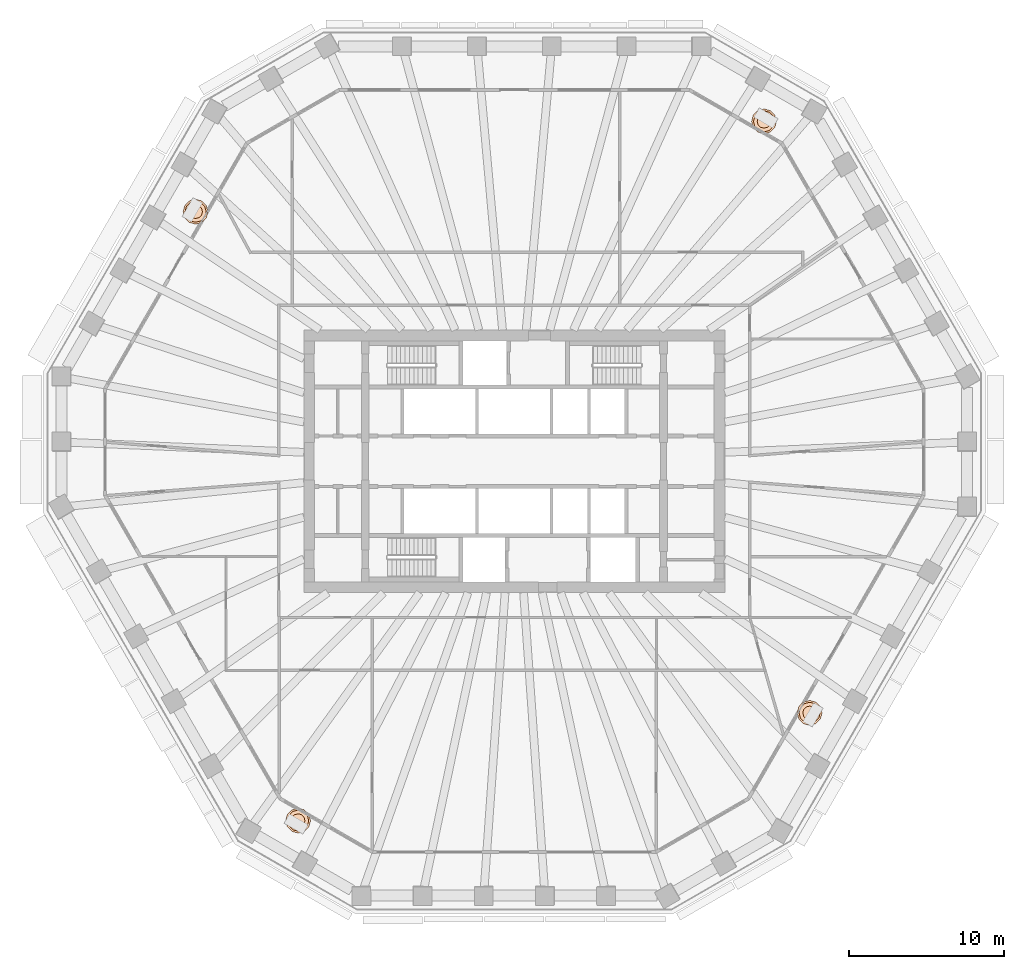
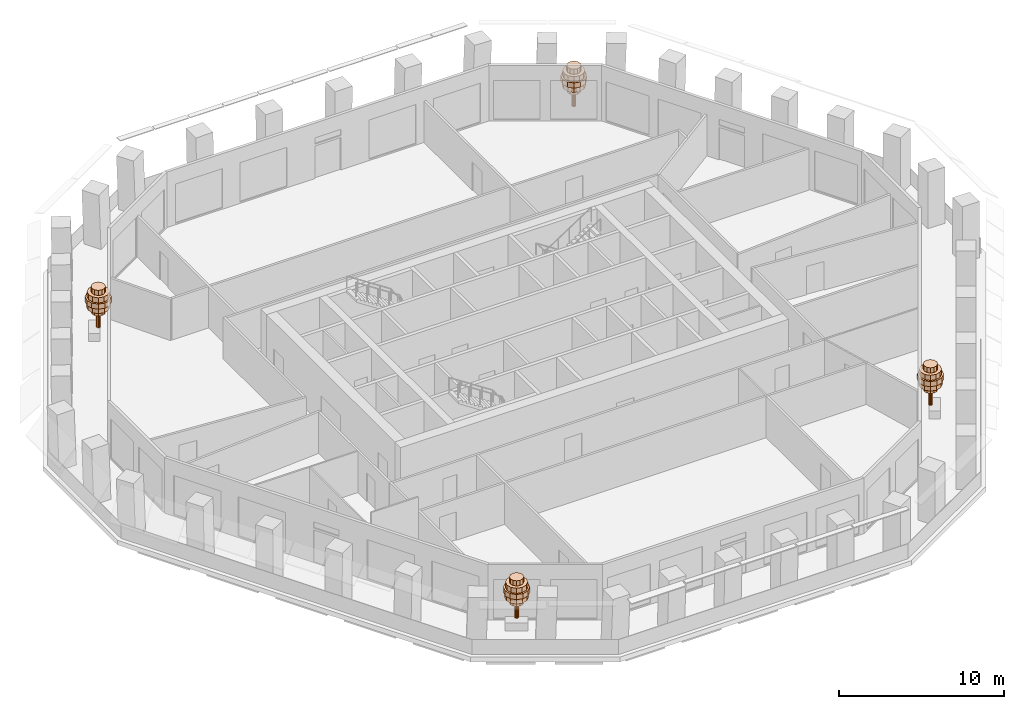
# One storey, part 13 of 13: 4 geographic elements.
"""IFC4 building model written with IfcOpenShell, lengths in metres."""

from ifc_helpers import new_model, si_unit, direction, frame, origin, place, context, subcontext, project, spatial, polyline, outline, extrude, material, type_object, element, save


model = new_model("IFC4")

# Units and contexts
model_context = context("Model", 3, precision=1e-05, world=origin(), true_north=direction((0.0, 1.0)))
body_context = subcontext(model_context, "Body", "Model", "MODEL_VIEW")
ifc_project = project(units=[si_unit("LENGTHUNIT", "METRE"), si_unit("AREAUNIT", "SQUARE_METRE"), si_unit("VOLUMEUNIT", "CUBIC_METRE"), si_unit("PLANEANGLEUNIT", "RADIAN"), si_unit("MASSUNIT", "GRAM", prefix="KILO")], contexts=[model_context])

# Site, building, storey
site_placement = place(None, origin())
site = spatial("IfcSite", under=ifc_project, at=site_placement, CompositionType="ELEMENT")
building_placement = place(site_placement, origin())
building = spatial("IfcBuilding", under=site, at=building_placement, Name="Frailejon Research Tower", CompositionType="ELEMENT")
storey_placement = place(building_placement, frame((0.0, 0.0, 184.800048828125)))
storey = spatial("IfcBuildingStorey", under=building, at=storey_placement, Name="L40", CompositionType="ELEMENT", Elevation=184.800048828125)

# Geographic elements
ifc_material = material(Name="Foliage, green")
geographic_element_type = type_object("IfcGeographicElementType", Name="Frailejon tree, loggia", PredefinedType="USERDEFINED", material=ifc_material)
geographic_element_1_placement = place(storey_placement, frame((16.068359375, 21.878173828125, 0.599853515625)))
element("IfcGeographicElement", 1, at=geographic_element_1_placement, inside=storey, type_object=geographic_element_type, Name="Tree L40", ObjectType="TREE", PredefinedType="USERDEFINED", context=body_context, shape_type="SweptSolid", body=[
    extrude(outline(polyline([(0.1298828125, 0.0), (0.112548828125, 0.06494140625), (0.06494140625, 0.112548828125), (0.0, 0.1298828125), (-0.06494140625, 0.112548828125), (-0.112548828125, 0.06494140625), (-0.1298828125, 0.0), (-0.112548828125, -0.06494140625), (-0.06494140625, -0.112548828125), (0.0, -0.1298828125), (0.06494140625, -0.112548828125), (0.112548828125, -0.06494140625), (0.1298828125, 0.0)])), origin(), (0.0, 0.0, 1.0), 2.239990234375),
    extrude(outline(polyline([(0.43994140625, 0.0), (0.381103515625, 0.219970703125), (0.219970703125, 0.381103515625), (0.0, 0.43994140625), (-0.219970703125, 0.381103515625), (-0.381103515625, 0.219970703125), (-0.43994140625, 0.0), (-0.381103515625, -0.219970703125), (-0.219970703125, -0.381103515625), (0.0, -0.43994140625), (0.219970703125, -0.381103515625), (0.381103515625, -0.219970703125), (0.43994140625, 0.0)])), frame((0.0, 0.0, 1.10009765625)), (0.0, 0.0, 1.0), 0.3798828125),
    extrude(outline(polyline([(0.719970703125, 0.0), (0.62353515625, 0.360107421875), (0.360107421875, 0.62353515625), (0.0, 0.719970703125), (-0.360107421875, 0.62353515625), (-0.62353515625, 0.360107421875), (-0.719970703125, 0.0), (-0.62353515625, -0.360107421875), (-0.360107421875, -0.62353515625), (0.0, -0.719970703125), (0.360107421875, -0.62353515625), (0.62353515625, -0.360107421875), (0.719970703125, 0.0)])), frame((0.0, 0.0, 1.47998046875)), (0.0, 0.0, 1.0), 0.3798828125),
    extrude(outline(polyline([(0.800048828125, 0.0), (0.69287109375, 0.39990234375), (0.39990234375, 0.69287109375), (0.0, 0.800048828125), (-0.39990234375, 0.69287109375), (-0.69287109375, 0.39990234375), (-0.800048828125, 0.0), (-0.69287109375, -0.39990234375), (-0.39990234375, -0.69287109375), (0.0, -0.800048828125), (0.39990234375, -0.69287109375), (0.69287109375, -0.39990234375), (0.800048828125, 0.0)])), frame((0.0, 0.0, 1.860107421875)), (0.0, 0.0, 1.0), 0.3798828125),
    extrude(outline(polyline([(0.679931640625, 0.0), (0.5888671875, 0.340087890625), (0.340087890625, 0.5888671875), (0.0, 0.679931640625), (-0.340087890625, 0.5888671875), (-0.5888671875, 0.340087890625), (-0.679931640625, 0.0), (-0.5888671875, -0.340087890625), (-0.340087890625, -0.5888671875), (0.0, -0.679931640625), (0.340087890625, -0.5888671875), (0.5888671875, -0.340087890625), (0.679931640625, 0.0)])), frame((0.0, 0.0, 2.239990234375)), (0.0, 0.0, 1.0), 0.3798828125),
    extrude(outline(polyline([(0.43994140625, 0.0), (0.381103515625, 0.219970703125), (0.219970703125, 0.381103515625), (0.0, 0.43994140625), (-0.219970703125, 0.381103515625), (-0.381103515625, 0.219970703125), (-0.43994140625, 0.0), (-0.381103515625, -0.219970703125), (-0.219970703125, -0.381103515625), (0.0, -0.43994140625), (0.219970703125, -0.381103515625), (0.381103515625, -0.219970703125), (0.43994140625, 0.0)])), frame((0.0, 0.0, 2.6201171875)), (0.0, 0.0, 1.0), 0.3798828125),
])
geographic_element_2_placement = place(storey_placement, frame((-20.510986328125, 16.062744140625, 0.599853515625)))
element("IfcGeographicElement", 2, at=geographic_element_2_placement, inside=storey, type_object=geographic_element_type, Name="Tree L40", ObjectType="TREE", PredefinedType="USERDEFINED", context=body_context, shape_type="SweptSolid", body=[
    extrude(outline(polyline([(0.1298828125, 0.0), (0.112548828125, 0.06494140625), (0.06494140625, 0.112548828125), (0.0, 0.1298828125), (-0.06494140625, 0.112548828125), (-0.112548828125, 0.06494140625), (-0.1298828125, 0.0), (-0.112548828125, -0.06494140625), (-0.06494140625, -0.112548828125), (0.0, -0.1298828125), (0.06494140625, -0.112548828125), (0.112548828125, -0.06494140625), (0.1298828125, 0.0)])), origin(), (0.0, 0.0, 1.0), 2.239990234375),
    extrude(outline(polyline([(0.43994140625, 0.0), (0.381103515625, 0.219970703125), (0.219970703125, 0.381103515625), (0.0, 0.43994140625), (-0.219970703125, 0.381103515625), (-0.381103515625, 0.219970703125), (-0.43994140625, 0.0), (-0.381103515625, -0.219970703125), (-0.219970703125, -0.381103515625), (0.0, -0.43994140625), (0.219970703125, -0.381103515625), (0.381103515625, -0.219970703125), (0.43994140625, 0.0)])), frame((0.0, 0.0, 1.10009765625)), (0.0, 0.0, 1.0), 0.3798828125),
    extrude(outline(polyline([(0.719970703125, 0.0), (0.62353515625, 0.360107421875), (0.360107421875, 0.62353515625), (0.0, 0.719970703125), (-0.360107421875, 0.62353515625), (-0.62353515625, 0.360107421875), (-0.719970703125, 0.0), (-0.62353515625, -0.360107421875), (-0.360107421875, -0.62353515625), (0.0, -0.719970703125), (0.360107421875, -0.62353515625), (0.62353515625, -0.360107421875), (0.719970703125, 0.0)])), frame((0.0, 0.0, 1.47998046875)), (0.0, 0.0, 1.0), 0.3798828125),
    extrude(outline(polyline([(0.800048828125, 0.0), (0.69287109375, 0.39990234375), (0.39990234375, 0.69287109375), (0.0, 0.800048828125), (-0.39990234375, 0.69287109375), (-0.69287109375, 0.39990234375), (-0.800048828125, 0.0), (-0.69287109375, -0.39990234375), (-0.39990234375, -0.69287109375), (0.0, -0.800048828125), (0.39990234375, -0.69287109375), (0.69287109375, -0.39990234375), (0.800048828125, 0.0)])), frame((0.0, 0.0, 1.860107421875)), (0.0, 0.0, 1.0), 0.3798828125),
    extrude(outline(polyline([(0.679931640625, 0.0), (0.5888671875, 0.340087890625), (0.340087890625, 0.5888671875), (0.0, 0.679931640625), (-0.340087890625, 0.5888671875), (-0.5888671875, 0.340087890625), (-0.679931640625, 0.0), (-0.5888671875, -0.340087890625), (-0.340087890625, -0.5888671875), (0.0, -0.679931640625), (0.340087890625, -0.5888671875), (0.5888671875, -0.340087890625), (0.679931640625, 0.0)])), frame((0.0, 0.0, 2.239990234375)), (0.0, 0.0, 1.0), 0.3798828125),
    extrude(outline(polyline([(0.43994140625, 0.0), (0.381103515625, 0.219970703125), (0.219970703125, 0.381103515625), (0.0, 0.43994140625), (-0.219970703125, 0.381103515625), (-0.381103515625, 0.219970703125), (-0.43994140625, 0.0), (-0.381103515625, -0.219970703125), (-0.219970703125, -0.381103515625), (0.0, -0.43994140625), (0.219970703125, -0.381103515625), (0.381103515625, -0.219970703125), (0.43994140625, 0.0)])), frame((0.0, 0.0, 2.6201171875)), (0.0, 0.0, 1.0), 0.3798828125),
])
geographic_element_3_placement = place(storey_placement, frame((-13.912841796875, -23.122802734375, 0.599853515625)))
element("IfcGeographicElement", 3, at=geographic_element_3_placement, inside=storey, type_object=geographic_element_type, Name="Tree L40", ObjectType="TREE", PredefinedType="USERDEFINED", context=body_context, shape_type="SweptSolid", body=[
    extrude(outline(polyline([(0.1298828125, 0.0), (0.112548828125, 0.06494140625), (0.06494140625, 0.112548828125), (0.0, 0.1298828125), (-0.06494140625, 0.112548828125), (-0.112548828125, 0.06494140625), (-0.1298828125, 0.0), (-0.112548828125, -0.06494140625), (-0.06494140625, -0.112548828125), (0.0, -0.1298828125), (0.06494140625, -0.112548828125), (0.112548828125, -0.06494140625), (0.1298828125, 0.0)])), origin(), (0.0, 0.0, 1.0), 2.239990234375),
    extrude(outline(polyline([(0.43994140625, 0.0), (0.381103515625, 0.219970703125), (0.219970703125, 0.381103515625), (0.0, 0.43994140625), (-0.219970703125, 0.381103515625), (-0.381103515625, 0.219970703125), (-0.43994140625, 0.0), (-0.381103515625, -0.219970703125), (-0.219970703125, -0.381103515625), (0.0, -0.43994140625), (0.219970703125, -0.381103515625), (0.381103515625, -0.219970703125), (0.43994140625, 0.0)])), frame((0.0, 0.0, 1.10009765625)), (0.0, 0.0, 1.0), 0.3798828125),
    extrude(outline(polyline([(0.719970703125, 0.0), (0.62353515625, 0.360107421875), (0.360107421875, 0.62353515625), (0.0, 0.719970703125), (-0.360107421875, 0.62353515625), (-0.62353515625, 0.360107421875), (-0.719970703125, 0.0), (-0.62353515625, -0.360107421875), (-0.360107421875, -0.62353515625), (0.0, -0.719970703125), (0.360107421875, -0.62353515625), (0.62353515625, -0.360107421875), (0.719970703125, 0.0)])), frame((0.0, 0.0, 1.47998046875)), (0.0, 0.0, 1.0), 0.3798828125),
    extrude(outline(polyline([(0.800048828125, 0.0), (0.69287109375, 0.39990234375), (0.39990234375, 0.69287109375), (0.0, 0.800048828125), (-0.39990234375, 0.69287109375), (-0.69287109375, 0.39990234375), (-0.800048828125, 0.0), (-0.69287109375, -0.39990234375), (-0.39990234375, -0.69287109375), (0.0, -0.800048828125), (0.39990234375, -0.69287109375), (0.69287109375, -0.39990234375), (0.800048828125, 0.0)])), frame((0.0, 0.0, 1.860107421875)), (0.0, 0.0, 1.0), 0.3798828125),
    extrude(outline(polyline([(0.679931640625, 0.0), (0.5888671875, 0.340087890625), (0.340087890625, 0.5888671875), (0.0, 0.679931640625), (-0.340087890625, 0.5888671875), (-0.5888671875, 0.340087890625), (-0.679931640625, 0.0), (-0.5888671875, -0.340087890625), (-0.340087890625, -0.5888671875), (0.0, -0.679931640625), (0.340087890625, -0.5888671875), (0.5888671875, -0.340087890625), (0.679931640625, 0.0)])), frame((0.0, 0.0, 2.239990234375)), (0.0, 0.0, 1.0), 0.3798828125),
    extrude(outline(polyline([(0.43994140625, 0.0), (0.381103515625, 0.219970703125), (0.219970703125, 0.381103515625), (0.0, 0.43994140625), (-0.219970703125, 0.381103515625), (-0.381103515625, 0.219970703125), (-0.43994140625, 0.0), (-0.381103515625, -0.219970703125), (-0.219970703125, -0.381103515625), (0.0, -0.43994140625), (0.219970703125, -0.381103515625), (0.381103515625, -0.219970703125), (0.43994140625, 0.0)])), frame((0.0, 0.0, 2.6201171875)), (0.0, 0.0, 1.0), 0.3798828125),
])
geographic_element_4_placement = place(storey_placement, frame((19.002197265625, -16.187255859375, 0.599853515625)))
element("IfcGeographicElement", 4, at=geographic_element_4_placement, inside=storey, type_object=geographic_element_type, Name="Tree L40", ObjectType="TREE", PredefinedType="USERDEFINED", context=body_context, shape_type="SweptSolid", body=[
    extrude(outline(polyline([(0.1298828125, 0.0), (0.112548828125, 0.06494140625), (0.06494140625, 0.112548828125), (0.0, 0.1298828125), (-0.06494140625, 0.112548828125), (-0.112548828125, 0.06494140625), (-0.1298828125, 0.0), (-0.112548828125, -0.06494140625), (-0.06494140625, -0.112548828125), (0.0, -0.1298828125), (0.06494140625, -0.112548828125), (0.112548828125, -0.06494140625), (0.1298828125, 0.0)])), origin(), (0.0, 0.0, 1.0), 2.239990234375),
    extrude(outline(polyline([(0.43994140625, 0.0), (0.381103515625, 0.219970703125), (0.219970703125, 0.381103515625), (0.0, 0.43994140625), (-0.219970703125, 0.381103515625), (-0.381103515625, 0.219970703125), (-0.43994140625, 0.0), (-0.381103515625, -0.219970703125), (-0.219970703125, -0.381103515625), (0.0, -0.43994140625), (0.219970703125, -0.381103515625), (0.381103515625, -0.219970703125), (0.43994140625, 0.0)])), frame((0.0, 0.0, 1.10009765625)), (0.0, 0.0, 1.0), 0.3798828125),
    extrude(outline(polyline([(0.719970703125, 0.0), (0.62353515625, 0.360107421875), (0.360107421875, 0.62353515625), (0.0, 0.719970703125), (-0.360107421875, 0.62353515625), (-0.62353515625, 0.360107421875), (-0.719970703125, 0.0), (-0.62353515625, -0.360107421875), (-0.360107421875, -0.62353515625), (0.0, -0.719970703125), (0.360107421875, -0.62353515625), (0.62353515625, -0.360107421875), (0.719970703125, 0.0)])), frame((0.0, 0.0, 1.47998046875)), (0.0, 0.0, 1.0), 0.3798828125),
    extrude(outline(polyline([(0.800048828125, 0.0), (0.69287109375, 0.39990234375), (0.39990234375, 0.69287109375), (0.0, 0.800048828125), (-0.39990234375, 0.69287109375), (-0.69287109375, 0.39990234375), (-0.800048828125, 0.0), (-0.69287109375, -0.39990234375), (-0.39990234375, -0.69287109375), (0.0, -0.800048828125), (0.39990234375, -0.69287109375), (0.69287109375, -0.39990234375), (0.800048828125, 0.0)])), frame((0.0, 0.0, 1.860107421875)), (0.0, 0.0, 1.0), 0.3798828125),
    extrude(outline(polyline([(0.679931640625, 0.0), (0.5888671875, 0.340087890625), (0.340087890625, 0.5888671875), (0.0, 0.679931640625), (-0.340087890625, 0.5888671875), (-0.5888671875, 0.340087890625), (-0.679931640625, 0.0), (-0.5888671875, -0.340087890625), (-0.340087890625, -0.5888671875), (0.0, -0.679931640625), (0.340087890625, -0.5888671875), (0.5888671875, -0.340087890625), (0.679931640625, 0.0)])), frame((0.0, 0.0, 2.239990234375)), (0.0, 0.0, 1.0), 0.3798828125),
    extrude(outline(polyline([(0.43994140625, 0.0), (0.381103515625, 0.219970703125), (0.219970703125, 0.381103515625), (0.0, 0.43994140625), (-0.219970703125, 0.381103515625), (-0.381103515625, 0.219970703125), (-0.43994140625, 0.0), (-0.381103515625, -0.219970703125), (-0.219970703125, -0.381103515625), (0.0, -0.43994140625), (0.219970703125, -0.381103515625), (0.381103515625, -0.219970703125), (0.43994140625, 0.0)])), frame((0.0, 0.0, 2.6201171875)), (0.0, 0.0, 1.0), 0.3798828125),
])

save(model, "model.ifc")
